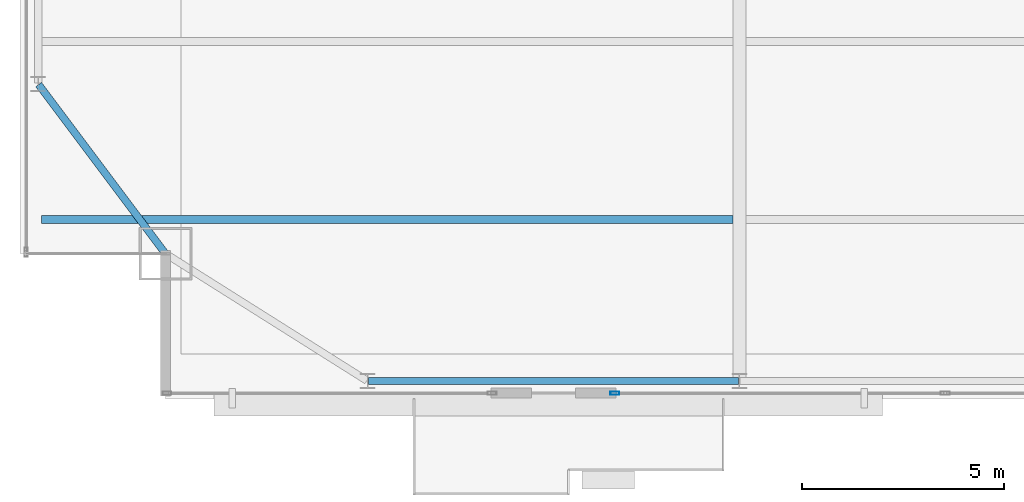
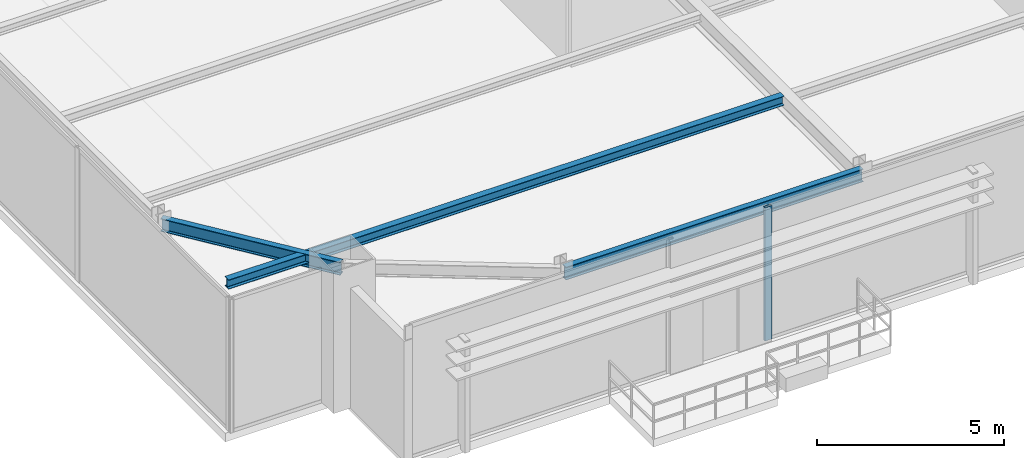
# One storey, part 5 of 25: 3 beams, 1 member, 1 element without a shape of its own.
"""IFC4 building model written with IfcOpenShell, lengths in metres."""

from ifc_helpers import new_model, si_unit, direction, frame, origin, origin_2d, place, context, subcontext, project, spatial, hollow_rectangle, i_section, extrude, source, transform, mapped, material, layer, layer_set, material_profile, profile_set, type_object, type_shapes, element, aggregate, save


model = new_model("IFC4")

# Units and contexts
model_context = context("Model", 3, precision=1e-05, world=origin(), true_north=direction((0.0, 1.0)))
body_context = subcontext(model_context, "Body", "Model", "MODEL_VIEW")
ifc_project = project(units=[si_unit("LENGTHUNIT", "METRE"), si_unit("AREAUNIT", "SQUARE_METRE"), si_unit("VOLUMEUNIT", "CUBIC_METRE"), si_unit("PLANEANGLEUNIT", "RADIAN"), si_unit("MASSUNIT", "GRAM", prefix="KILO")], contexts=[model_context])

# Site, building, storey
site_placement = place(None, origin())
site = spatial("IfcSite", under=ifc_project, at=site_placement, CompositionType="ELEMENT")
building_placement = place(site_placement, origin())
building = spatial("IfcBuilding", under=site, at=building_placement, Name="Varnel Quay Broadcast Tower", CompositionType="ELEMENT")
storey_placement = place(building_placement, frame((0.0, 0.0, 191.39990234375)))
storey = spatial("IfcBuildingStorey", under=building, at=storey_placement, Name="L47", CompositionType="ELEMENT", Elevation=191.39990234375)

# Beams
ifc_material_1 = material(Name="Structural Steel CSA G40.21 350W", Category="steel")
ifc_material_profile_1 = material_profile(ifc_material_1, i_section(OverallWidth=0.180908203125, OverallDepth=0.4169921875, WebThickness=0.010986328125, FlangeThickness=0.018310546875, FilletRadius=0.011962890625, at=origin_2d()), Name="W410X85")
ifc_profile_set_1 = profile_set([ifc_material_profile_1], Name="Structural Steel CSA G40.21 350W")
beam_type_1 = type_object("IfcBeamType", Name="Beam_W410X85", PredefinedType="SPANDREL", material=ifc_profile_set_1)
shared_shape_1 = source(origin(), body_context, "Body", "SweptSolid", [
    extrude(i_section(OverallWidth=0.180908203125, OverallDepth=0.4169921875, WebThickness=0.010986328125, FlangeThickness=0.018310546875, FilletRadius=0.011962890625, at=origin_2d()), origin(), (0.0, 0.0, 1.0), 9.159912109375),
])
beam_1_placement = place(storey_placement, frame((15.6201171875, 7.64990234375, 4.1416015625), z_axis=(1.0, 0.0, 0.0), x_axis=(0.0, 1.0, 0.0)))
element("IfcBeam", 1, at=beam_1_placement, inside=storey, type_object=beam_type_1, Name="L47 South Spandrel TC-S1-TC-S2", PredefinedType="SPANDREL", context=body_context, shape_type="MappedRepresentation", body=[
    mapped(shared_shape_1, transform((0.0, 0.0, 0.0), x_axis=(1.0, 0.0, 0.0), y_axis=(0.0, 1.0, 0.0), z_axis=(0.0, 0.0, 1.0), scale=1.0)),
])
shared_shape_2 = source(origin(), body_context, "Body", "SweptSolid", [
    extrude(i_section(OverallWidth=0.180908203125, OverallDepth=0.4169921875, WebThickness=0.010986328125, FlangeThickness=0.018310546875, FilletRadius=0.011962890625, at=origin_2d()), origin(), (0.0, 0.0, 1.0), 5.2099609375),
])
type_shapes(beam_type_1, [shared_shape_1, shared_shape_2])
beam_2_placement = place(storey_placement, frame((10.587890625, 10.81591796875, 4.1416015625), z_axis=(-0.6, 0.8, 0.0), x_axis=(-0.8, -0.6, 0.0)))
element("IfcBeam", 2, at=beam_2_placement, inside=storey, type_object=beam_type_1, Name="L47 West Spandrel MC-SW-TC-W1", PredefinedType="SPANDREL", context=body_context, shape_type="MappedRepresentation", body=[
    mapped(shared_shape_2, transform((0.0, 0.0, 0.0), x_axis=(1.0, 0.0, 0.0), y_axis=(0.0, 1.0, 0.0), z_axis=(0.0, 0.0, 1.0), scale=1.0)),
])
ifc_material_profile_2 = material_profile(ifc_material_1, i_section(OverallWidth=0.202880859375, OverallDepth=0.302978515625, WebThickness=0.007568359375, FlangeThickness=0.01318359375, FilletRadius=0.011962890625, at=origin_2d()), Name="W310X60")
ifc_profile_set_2 = profile_set([ifc_material_profile_2], Name="Structural Steel CSA G40.21 350W")
beam_type_2 = type_object("IfcBeamType", Name="Beam_W310X60", PredefinedType="JOIST", material=ifc_profile_set_2)
shared_shape_3 = source(origin(), body_context, "Body", "SweptSolid", [
    extrude(i_section(OverallWidth=0.202880859375, OverallDepth=0.302978515625, WebThickness=0.007568359375, FlangeThickness=0.01318359375, FilletRadius=0.011962890625, at=origin_2d()), origin(), (0.0, 0.0, 1.0), 17.107177734375),
])
type_shapes(beam_type_2, [shared_shape_3])
beam_3_placement = place(storey_placement, frame((7.535400390625, 11.64990234375, 4.198486328125), z_axis=(1.0, 0.0, 0.0), x_axis=(0.0, 1.0, 0.0)))
element("IfcBeam", 3, at=beam_3_placement, inside=storey, type_object=beam_type_2, Name="L47 West Floor Joist 1", PredefinedType="JOIST", context=body_context, shape_type="MappedRepresentation", body=[
    mapped(shared_shape_3, transform((0.0, 0.0, 0.0), x_axis=(1.0, 0.0, 0.0), y_axis=(0.0, 1.0, 0.0), z_axis=(0.0, 0.0, 1.0), scale=1.0)),
])

# Curtain wall, member
ifc_material_2 = material(Name="Anodised Bronze Aluminium 6063-T6", Category="aluminium")
ifc_layer = layer(ifc_material_2, 0.18994140625, Name="Anodised Bronze Aluminium 6063-T6")
ifc_layer_set = layer_set([ifc_layer], Name="Anodised Bronze Aluminium 6063-T6")
curtain_wall_type = type_object("IfcCurtainWallType", Name="CW_SkyObsHighVis", PredefinedType="NOTDEFINED", material=ifc_layer_set)
curtain_wall_placement = place(storey_placement, origin())
curtain_wall = element("IfcCurtainWall", 4, at=curtain_wall_placement, inside=storey, type_object=curtain_wall_type, Name="L47 South Unitised Curtain Wall 2", PredefinedType="NOTDEFINED")
ifc_material_profile_3 = material_profile(ifc_material_2, hollow_rectangle(XDim=0.074951171875, YDim=0.219970703125, WallThickness=0.00390625, at=origin_2d()), Name="ALU75X220X4")
ifc_profile_set_3 = profile_set([ifc_material_profile_3], Name="Anodised Bronze Aluminium 6063-T6")
member_type = type_object("IfcMemberType", Name="Mull_CWS-05", PredefinedType="MULLION", material=ifc_profile_set_3)
shared_shape_4 = source(origin(), body_context, "Body", "SweptSolid", [
    extrude(hollow_rectangle(XDim=0.074951171875, YDim=0.219970703125, WallThickness=0.00390625, at=origin_2d()), origin(), (0.0, 0.0, 1.0), 4.35009765625),
])
type_shapes(member_type, [shared_shape_4])
member_placement = place(storey_placement, frame((21.717529296875, 7.35009765625, 0.0), z_axis=(0.0, 0.0, 1.0), x_axis=(0.0, 1.0, 0.0)))
member = element("IfcMember", 5, at=member_placement, type_object=member_type, Name="CWS-05 mullion 1", PredefinedType="MULLION", context=body_context, shape_type="MappedRepresentation", body=[
    mapped(shared_shape_4, transform((0.0, 0.0, 0.0), x_axis=(1.0, 0.0, 0.0), y_axis=(0.0, 1.0, 0.0), z_axis=(0.0, 0.0, 1.0), scale=1.0)),
])
aggregate(curtain_wall, [member])

save(model, "model.ifc")
